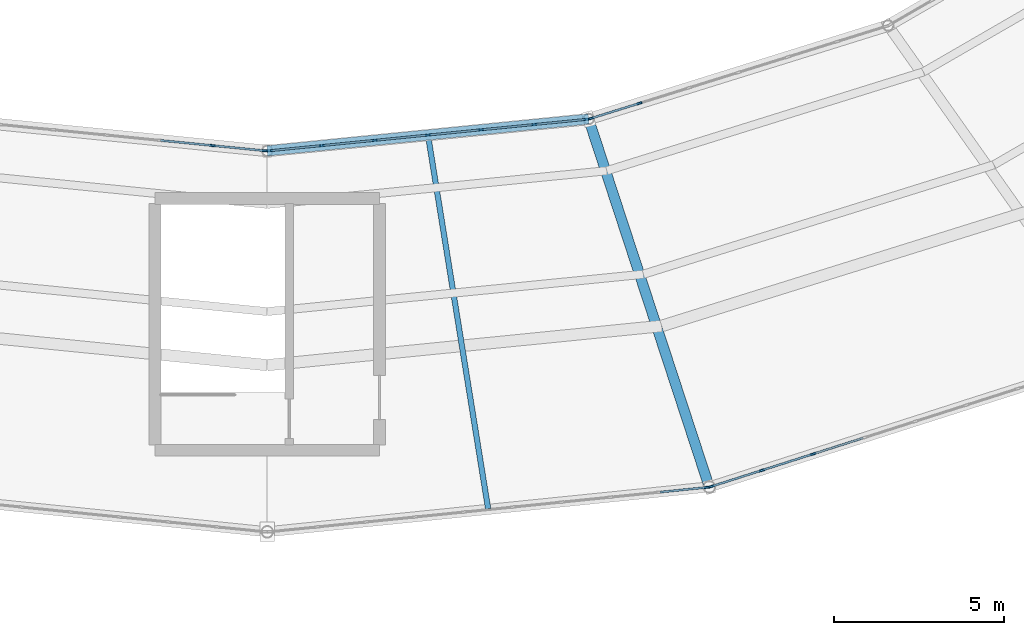
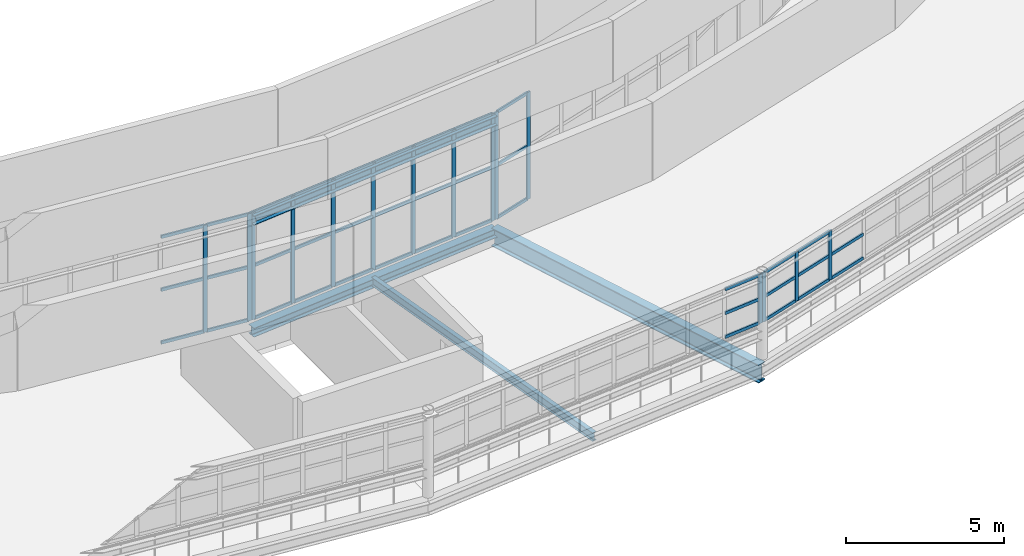
# One storey, part 36 of 123: 53 members, 4 beams, 5 elements without a shape of their own.
"""IFC4 building model written with IfcOpenShell, lengths in metres."""

from ifc_helpers import new_model, si_unit, direction, frame, origin, origin_2d, place, context, subcontext, project, spatial, rectangle, i_section, extrude, material, material_profile, profile_set, type_object, element, aggregate, save


model = new_model("IFC4")

# Units and contexts
model_context = context("Model", 3, precision=1e-05, world=origin(), true_north=direction((0.0, 1.0)))
body_context = subcontext(model_context, "Body", "Model", "MODEL_VIEW")
ifc_project = project(units=[si_unit("LENGTHUNIT", "METRE"), si_unit("AREAUNIT", "SQUARE_METRE"), si_unit("VOLUMEUNIT", "CUBIC_METRE"), si_unit("PLANEANGLEUNIT", "RADIAN"), si_unit("MASSUNIT", "GRAM", prefix="KILO")], contexts=[model_context])

# Site, building, storey
site_placement = place(None, origin())
site = spatial("IfcSite", under=ifc_project, at=site_placement, CompositionType="ELEMENT")
building_placement = place(site_placement, origin())
building = spatial("IfcBuilding", under=site, at=building_placement, Name="Kildeholm Park Wholesale Market", CompositionType="ELEMENT")
storey_placement = place(building_placement, frame((0.0, 0.0, 9.60009765625)))
storey = spatial("IfcBuildingStorey", under=building, at=storey_placement, Name="L02", CompositionType="ELEMENT", Elevation=9.60009765625)

# Beams
ifc_material_1 = material(Name="Steel S355", Category="steel")
ifc_material_profile_1 = material_profile(ifc_material_1, i_section(OverallWidth=0.300048828125, OverallDepth=0.699951171875, WebThickness=0.01708984375, FlangeThickness=0.031982421875, FilletRadius=0.027099609375, at=origin_2d()), Name="HEB 700")
ifc_profile_set_1 = profile_set([ifc_material_profile_1], Name="Steel S355")
beam_type_1 = type_object("IfcBeamType", Name="Beam B-G01 HEB 700", PredefinedType="BEAM", material=ifc_profile_set_1)
beam_1_placement = place(storey_placement, frame((108.447021484375, 62.93701171875, -0.60009765625), z_axis=(0.31146940438, -0.950256181319, 0.0), x_axis=(0.950256181319, 0.31146940438, 0.0)))
element("IfcBeam", 1, at=beam_1_placement, inside=storey, type_object=beam_type_1, Name="Beam BM-V1-L02-R1-19 BM-0173", PredefinedType="BEAM", context=body_context, shape_type="SweptSolid", body=[
    extrude(i_section(OverallWidth=0.300048828125, OverallDepth=0.699951171875, WebThickness=0.01708984375, FlangeThickness=0.031982421875, FilletRadius=0.027099609375, at=origin_2d()), origin(), (0.0, 0.0, 1.0), 11.384521484375),
])
ifc_material_profile_2 = material_profile(ifc_material_1, i_section(OverallWidth=0.300048828125, OverallDepth=0.35009765625, WebThickness=0.010009765625, FlangeThickness=0.017578125, FilletRadius=0.027099609375, at=origin_2d()), Name="HEA 360")
ifc_profile_set_2 = profile_set([ifc_material_profile_2], Name="Steel S355")
beam_type_2 = type_object("IfcBeamType", Name="Beam B-R01 HEA 360", PredefinedType="BEAM", material=ifc_profile_set_2)
beam_2_placement = place(storey_placement, frame((99.0, 62.0, -0.42919921875), z_axis=(0.995117073258, 0.098701623651, 0.0), x_axis=(-0.098701623651, 0.995117073258, 0.0)))
element("IfcBeam", 2, at=beam_2_placement, inside=storey, type_object=beam_type_2, Name="Beam BM-V1-L02-CI-18 BM-0168", PredefinedType="BEAM", context=body_context, shape_type="SweptSolid", body=[
    extrude(i_section(OverallWidth=0.300048828125, OverallDepth=0.35009765625, WebThickness=0.010009765625, FlangeThickness=0.017578125, FilletRadius=0.027099609375, at=origin_2d()), origin(), (0.0, 0.0, 1.0), 9.493408203125),
])
ifc_material_profile_3 = material_profile(ifc_material_1, i_section(OverallWidth=0.300048828125, OverallDepth=0.360107421875, WebThickness=0.012451171875, FlangeThickness=0.0224609375, FilletRadius=0.027099609375, at=origin_2d()), Name="HEB 360")
ifc_profile_set_3 = profile_set([ifc_material_profile_3], Name="Steel S355")
beam_type_3 = type_object("IfcBeamType", Name="Beam B-R03 HEB 360", PredefinedType="BEAM", material=ifc_profile_set_3)
beam_3_placement = place(storey_placement, frame((99.0, 62.0, 3.909423828125), z_axis=(0.995117073258, 0.098701623651, 0.0), x_axis=(-0.098701623651, 0.995117073258, 0.0)))
element("IfcBeam", 3, at=beam_3_placement, inside=storey, type_object=beam_type_3, Name="Beam BM-V1-RF-IN-18 BM-0331", PredefinedType="BEAM", context=body_context, shape_type="SweptSolid", body=[
    extrude(i_section(OverallWidth=0.300048828125, OverallDepth=0.360107421875, WebThickness=0.012451171875, FlangeThickness=0.0224609375, FilletRadius=0.027099609375, at=origin_2d()), origin(), (0.0, 0.0, 1.0), 9.493408203125),
])
ifc_material_profile_4 = material_profile(ifc_material_1, i_section(OverallWidth=0.159912109375, OverallDepth=0.330078125, WebThickness=0.007568359375, FlangeThickness=0.011474609375, FilletRadius=0.01806640625, at=origin_2d()), Name="IPE 330")
ifc_profile_set_4 = profile_set([ifc_material_profile_4], Name="Steel S355")
beam_type_4 = type_object("IfcBeamType", Name="Beam J-03 IPE 330", PredefinedType="JOIST", material=ifc_profile_set_4)
beam_4_placement = place(storey_placement, frame((103.726806640625, 62.44873046875, -0.4150390625), z_axis=(0.158998239013, -0.987278866375, 0.0), x_axis=(0.987278866375, 0.158998239013, 0.0)))
element("IfcBeam", 4, at=beam_4_placement, inside=storey, type_object=beam_type_4, Name="Beam JT-V1-L02-18 BM-0171", PredefinedType="JOIST", context=body_context, shape_type="SweptSolid", body=[
    extrude(i_section(OverallWidth=0.159912109375, OverallDepth=0.330078125, WebThickness=0.007568359375, FlangeThickness=0.011474609375, FilletRadius=0.01806640625, at=origin_2d()), origin(), (0.0, 0.0, 1.0), 11.11083984375),
])

# Curtain wall, members
ifc_material_2 = material(Name="Anodised aluminium and low-E double-glazed glass", Category="aluminium")
curtain_wall_type = type_object("IfcCurtainWallType", Name="Clerestory daylight stick curtain wall CW-02", PredefinedType="NOTDEFINED", material=ifc_material_2)
curtain_wall_1_placement = place(storey_placement, origin())
curtain_wall_1 = element("IfcCurtainWall", 5, at=curtain_wall_1_placement, inside=storey, type_object=curtain_wall_type, Name="Curtain wall CW-V1-IN2-17 CW-0088", PredefinedType="NOTDEFINED")
ifc_material_3 = material(Name="Anodised aluminium", Category="aluminium")
ifc_material_profile_5 = material_profile(ifc_material_3, rectangle(XDim=0.06005859375, YDim=0.14990234375, at=origin_2d()), Name="CWM 60x150")
ifc_profile_set_5 = profile_set([ifc_material_profile_5], Name="Anodised aluminium")
member_type_1 = type_object("IfcMemberType", Name="Curtain-wall mullion CWM-3 CWM 60x150", PredefinedType="MULLION", material=ifc_profile_set_5)
member_1_placement = place(storey_placement, frame((97.398681640625, 62.15478515625, 0.0), z_axis=(0.0, 0.0, 1.0), x_axis=(0.098683331174, 0.995118887444, 0.0)))
member_1 = element("IfcMember", 6, at=member_1_placement, type_object=member_type_1, Name="CW-02 mullion 6 MEM-2802", PredefinedType="MULLION", context=body_context, shape_type="SweptSolid", body=[
    extrude(rectangle(XDim=0.06005859375, YDim=0.14990234375, at=origin_2d()), origin(), (0.0, 0.0, 1.0), 4.14990234375),
])
member_2_placement = place(storey_placement, frame((98.93017578125, 62.0029296875, 0.0), z_axis=(0.0, 0.0, 1.0), x_axis=(0.098683331174, 0.995118887444, 0.0)))
member_2 = element("IfcMember", 7, at=member_2_placement, type_object=member_type_1, Name="CW-02 mullion 7 MEM-2803", PredefinedType="MULLION", context=body_context, shape_type="SweptSolid", body=[
    extrude(rectangle(XDim=0.06005859375, YDim=0.14990234375, at=origin_2d()), origin(), (0.0, 0.0, 1.0), 4.14990234375),
])

# Curtain wall, member
curtain_wall_2_placement = place(storey_placement, origin())
curtain_wall_2 = element("IfcCurtainWall", 8, at=curtain_wall_2_placement, inside=storey, type_object=curtain_wall_type, Name="Curtain wall CW-V1-CL-18 CW-0090", PredefinedType="NOTDEFINED")
member_3_placement = place(storey_placement, frame((111.924072265625, 52.10791015625, 1.349853515625), z_axis=(0.0, 0.0, 1.0), x_axis=(-0.100998628351, 0.994886564926, 0.0)))
member_3 = element("IfcMember", 9, at=member_3_placement, type_object=member_type_1, Name="CW-02 mullion 10 MEM-2872", PredefinedType="MULLION", context=body_context, shape_type="SweptSolid", body=[
    extrude(rectangle(XDim=0.06005859375, YDim=0.14990234375, at=origin_2d()), origin(), (0.0, 0.0, 1.0), 1.900146484375),
])

# Curtain wall, members
curtain_wall_3_placement = place(storey_placement, origin())
curtain_wall_3 = element("IfcCurtainWall", 10, at=curtain_wall_3_placement, inside=storey, type_object=curtain_wall_type, Name="Curtain wall CW-V1-IN2-18 CW-0093", PredefinedType="NOTDEFINED")
member_4_placement = place(storey_placement, frame((99.06982421875, 62.0029296875, 0.0), z_axis=(0.0, 0.0, 1.0), x_axis=(-0.098683331174, 0.995118887444, 0.0)))
member_4 = element("IfcMember", 11, at=member_4_placement, type_object=member_type_1, Name="CW-02 mullion 1 MEM-2950", PredefinedType="MULLION", context=body_context, shape_type="SweptSolid", body=[
    extrude(rectangle(XDim=0.06005859375, YDim=0.14990234375, at=origin_2d()), origin(), (0.0, 0.0, 1.0), 4.14990234375),
])
member_5_placement = place(storey_placement, frame((100.601318359375, 62.15478515625, 0.0), z_axis=(0.0, 0.0, 1.0), x_axis=(-0.098683331174, 0.995118887444, 0.0)))
member_5 = element("IfcMember", 12, at=member_5_placement, type_object=member_type_1, Name="CW-02 mullion 2 MEM-2951", PredefinedType="MULLION", context=body_context, shape_type="SweptSolid", body=[
    extrude(rectangle(XDim=0.06005859375, YDim=0.14990234375, at=origin_2d()), origin(), (0.0, 0.0, 1.0), 4.14990234375),
])
member_6_placement = place(storey_placement, frame((102.16259765625, 62.3095703125, 0.0), z_axis=(0.0, 0.0, 1.0), x_axis=(-0.098683331174, 0.995118887444, 0.0)))
member_6 = element("IfcMember", 13, at=member_6_placement, type_object=member_type_1, Name="CW-02 mullion 3 MEM-2952", PredefinedType="MULLION", context=body_context, shape_type="SweptSolid", body=[
    extrude(rectangle(XDim=0.06005859375, YDim=0.14990234375, at=origin_2d()), origin(), (0.0, 0.0, 1.0), 4.14990234375),
])
member_7_placement = place(storey_placement, frame((103.72412109375, 62.464599609375, 0.0), z_axis=(0.0, 0.0, 1.0), x_axis=(-0.098683331174, 0.995118887444, 0.0)))
member_7 = element("IfcMember", 14, at=member_7_placement, type_object=member_type_1, Name="CW-02 mullion 4 MEM-2953", PredefinedType="MULLION", context=body_context, shape_type="SweptSolid", body=[
    extrude(rectangle(XDim=0.06005859375, YDim=0.14990234375, at=origin_2d()), origin(), (0.0, 0.0, 1.0), 4.14990234375),
])
member_8_placement = place(storey_placement, frame((105.285400390625, 62.619384765625, 0.0), z_axis=(0.0, 0.0, 1.0), x_axis=(-0.098683331174, 0.995118887444, 0.0)))
member_8 = element("IfcMember", 15, at=member_8_placement, type_object=member_type_1, Name="CW-02 mullion 5 MEM-2954", PredefinedType="MULLION", context=body_context, shape_type="SweptSolid", body=[
    extrude(rectangle(XDim=0.06005859375, YDim=0.14990234375, at=origin_2d()), origin(), (0.0, 0.0, 1.0), 4.14990234375),
])
member_9_placement = place(storey_placement, frame((106.8466796875, 62.774169921875, 0.0), z_axis=(0.0, 0.0, 1.0), x_axis=(-0.098683331174, 0.995118887444, 0.0)))
member_9 = element("IfcMember", 16, at=member_9_placement, type_object=member_type_1, Name="CW-02 mullion 6 MEM-2955", PredefinedType="MULLION", context=body_context, shape_type="SweptSolid", body=[
    extrude(rectangle(XDim=0.06005859375, YDim=0.14990234375, at=origin_2d()), origin(), (0.0, 0.0, 1.0), 4.14990234375),
])
member_10_placement = place(storey_placement, frame((108.378173828125, 62.926025390625, 0.0), z_axis=(0.0, 0.0, 1.0), x_axis=(-0.098683331174, 0.995118887444, 0.0)))
member_10 = element("IfcMember", 17, at=member_10_placement, type_object=member_type_1, Name="CW-02 mullion 7 MEM-2956", PredefinedType="MULLION", context=body_context, shape_type="SweptSolid", body=[
    extrude(rectangle(XDim=0.06005859375, YDim=0.14990234375, at=origin_2d()), origin(), (0.0, 0.0, 1.0), 4.14990234375),
])

curtain_wall_4_placement = place(storey_placement, origin())
curtain_wall_4 = element("IfcCurtainWall", 18, at=curtain_wall_4_placement, inside=storey, type_object=curtain_wall_type, Name="Curtain wall CW-V1-CL-19 CW-0095", PredefinedType="NOTDEFINED")
member_11_placement = place(storey_placement, frame((112.0615234375, 52.13623046875, 1.349853515625), z_axis=(0.0, 0.0, 1.0), x_axis=(-0.304206822997, 0.952606009241, 0.0)))
member_11 = element("IfcMember", 19, at=member_11_placement, type_object=member_type_1, Name="CW-02 mullion 1 MEM-3016", PredefinedType="MULLION", context=body_context, shape_type="SweptSolid", body=[
    extrude(rectangle(XDim=0.06005859375, YDim=0.14990234375, at=origin_2d()), origin(), (0.0, 0.0, 1.0), 1.900146484375),
])
member_12_placement = place(storey_placement, frame((113.536865234375, 52.607177734375, 1.349853515625), z_axis=(0.0, 0.0, 1.0), x_axis=(-0.304206822997, 0.952606009241, 0.0)))
member_12 = element("IfcMember", 20, at=member_12_placement, type_object=member_type_1, Name="CW-02 mullion 2 MEM-3017", PredefinedType="MULLION", context=body_context, shape_type="SweptSolid", body=[
    extrude(rectangle(XDim=0.06005859375, YDim=0.14990234375, at=origin_2d()), origin(), (0.0, 0.0, 1.0), 1.900146484375),
])
member_13_placement = place(storey_placement, frame((115.040771484375, 53.08740234375, 1.349853515625), z_axis=(0.0, 0.0, 1.0), x_axis=(-0.304206822997, 0.952606009241, 0.0)))
member_13 = element("IfcMember", 21, at=member_13_placement, type_object=member_type_1, Name="CW-02 mullion 3 MEM-3018", PredefinedType="MULLION", context=body_context, shape_type="SweptSolid", body=[
    extrude(rectangle(XDim=0.06005859375, YDim=0.14990234375, at=origin_2d()), origin(), (0.0, 0.0, 1.0), 1.900146484375),
])

curtain_wall_5_placement = place(storey_placement, origin())
curtain_wall_5 = element("IfcCurtainWall", 22, at=curtain_wall_5_placement, inside=storey, type_object=curtain_wall_type, Name="Curtain wall CW-V1-IN2-19 CW-0098", PredefinedType="NOTDEFINED")
member_14_placement = place(storey_placement, frame((108.515625, 62.953857421875, 0.0), z_axis=(0.0, 0.0, 1.0), x_axis=(-0.297957339818, 0.954579186683, 0.0)))
member_14 = element("IfcMember", 23, at=member_14_placement, type_object=member_type_1, Name="CW-02 mullion 1 MEM-3099", PredefinedType="MULLION", context=body_context, shape_type="SweptSolid", body=[
    extrude(rectangle(XDim=0.06005859375, YDim=0.14990234375, at=origin_2d()), origin(), (0.0, 0.0, 1.0), 4.14990234375),
])
member_15_placement = place(storey_placement, frame((109.94140625, 63.39892578125, 0.0), z_axis=(0.0, 0.0, 1.0), x_axis=(-0.297957339818, 0.954579186683, 0.0)))
member_15 = element("IfcMember", 24, at=member_15_placement, type_object=member_type_1, Name="CW-02 mullion 2 MEM-3100", PredefinedType="MULLION", context=body_context, shape_type="SweptSolid", body=[
    extrude(rectangle(XDim=0.06005859375, YDim=0.14990234375, at=origin_2d()), origin(), (0.0, 0.0, 1.0), 4.14990234375),
])

# Member
ifc_material_profile_6 = material_profile(ifc_material_3, rectangle(XDim=0.06005859375, YDim=0.1201171875, at=origin_2d()), Name="CWT 60x120")
ifc_profile_set_6 = profile_set([ifc_material_profile_6], Name="Anodised aluminium")
member_type_2 = type_object("IfcMemberType", Name="Curtain-wall transom CWT-3 CWT 60x120", PredefinedType="USERDEFINED", material=ifc_profile_set_6)
member_16_placement = place(storey_placement, frame((95.8671875, 62.306640625, 0.02978515625), z_axis=(0.995118546562, -0.098686768558, 0.0), x_axis=(0.098686768558, 0.995118546562, 0.0)))
member_16 = element("IfcMember", 25, at=member_16_placement, type_object=member_type_2, Name="CW-02 transom 5.1 MEM-2816", ObjectType="TRANSOM", PredefinedType="USERDEFINED", context=body_context, shape_type="SweptSolid", body=[
    extrude(rectangle(XDim=0.06005859375, YDim=0.1201171875, at=origin_2d()), origin(), (0.0, 0.0, 1.0), 1.509033203125),
])

member_17_placement = place(storey_placement, frame((95.8671875, 62.306640625, 2.074951171875), z_axis=(0.995118546562, -0.098686768558, 0.0), x_axis=(0.098686768558, 0.995118546562, 0.0)))
member_17 = element("IfcMember", 26, at=member_17_placement, type_object=member_type_2, Name="CW-02 transom 5.2 MEM-2817", ObjectType="TRANSOM", PredefinedType="USERDEFINED", context=body_context, shape_type="SweptSolid", body=[
    extrude(rectangle(XDim=0.06005859375, YDim=0.1201171875, at=origin_2d()), origin(), (0.0, 0.0, 1.0), 1.509033203125),
])

member_18_placement = place(storey_placement, frame((95.8671875, 62.306640625, 4.119873046875), z_axis=(0.995118546562, -0.098686768558, 0.0), x_axis=(0.098686768558, 0.995118546562, 0.0)))
member_18 = element("IfcMember", 27, at=member_18_placement, type_object=member_type_2, Name="CW-02 transom 5.3 MEM-2818", ObjectType="TRANSOM", PredefinedType="USERDEFINED", context=body_context, shape_type="SweptSolid", body=[
    extrude(rectangle(XDim=0.06005859375, YDim=0.1201171875, at=origin_2d()), origin(), (0.0, 0.0, 1.0), 1.509033203125),
])

member_19_placement = place(storey_placement, frame((97.428466796875, 62.15185546875, 0.02978515625), z_axis=(0.995116944217, -0.098702924638, 0.0), x_axis=(0.098702924638, 0.995116944217, 0.0)))
member_19 = element("IfcMember", 28, at=member_19_placement, type_object=member_type_2, Name="CW-02 transom 6.1 MEM-2819", ObjectType="TRANSOM", PredefinedType="USERDEFINED", context=body_context, shape_type="SweptSolid", body=[
    extrude(rectangle(XDim=0.06005859375, YDim=0.1201171875, at=origin_2d()), origin(), (0.0, 0.0, 1.0), 1.479248046875),
])

member_20_placement = place(storey_placement, frame((97.428466796875, 62.15185546875, 2.074951171875), z_axis=(0.995116944217, -0.098702924638, 0.0), x_axis=(0.098702924638, 0.995116944217, 0.0)))
member_20 = element("IfcMember", 29, at=member_20_placement, type_object=member_type_2, Name="CW-02 transom 6.2 MEM-2820", ObjectType="TRANSOM", PredefinedType="USERDEFINED", context=body_context, shape_type="SweptSolid", body=[
    extrude(rectangle(XDim=0.06005859375, YDim=0.1201171875, at=origin_2d()), origin(), (0.0, 0.0, 1.0), 1.479248046875),
])

member_21_placement = place(storey_placement, frame((97.428466796875, 62.15185546875, 4.119873046875), z_axis=(0.995116944217, -0.098702924638, 0.0), x_axis=(0.098702924638, 0.995116944217, 0.0)))
member_21 = element("IfcMember", 30, at=member_21_placement, type_object=member_type_2, Name="CW-02 transom 6.3 MEM-2821", ObjectType="TRANSOM", PredefinedType="USERDEFINED", context=body_context, shape_type="SweptSolid", body=[
    extrude(rectangle(XDim=0.06005859375, YDim=0.1201171875, at=origin_2d()), origin(), (0.0, 0.0, 1.0), 1.479248046875),
])

aggregate(curtain_wall_1, [member_1, member_2, member_16, member_17, member_18, member_19, member_20, member_21])

member_22_placement = place(storey_placement, frame((110.549072265625, 51.96826171875, 1.3798828125), z_axis=(0.994874996086, 0.101112522288, 0.0), x_axis=(-0.101112522288, 0.994874996086, 0.0)))
member_22 = element("IfcMember", 31, at=member_22_placement, type_object=member_type_2, Name="CW-02 transom 9.1 MEM-2897", ObjectType="TRANSOM", PredefinedType="USERDEFINED", context=body_context, shape_type="SweptSolid", body=[
    extrude(rectangle(XDim=0.06005859375, YDim=0.1201171875, at=origin_2d()), origin(), (0.0, 0.0, 1.0), 1.35205078125),
])

member_23_placement = place(storey_placement, frame((110.549072265625, 51.96826171875, 2.2998046875), z_axis=(0.994874996086, 0.101112522288, 0.0), x_axis=(-0.101112522288, 0.994874996086, 0.0)))
member_23 = element("IfcMember", 32, at=member_23_placement, type_object=member_type_2, Name="CW-02 transom 9.2 MEM-2898", ObjectType="TRANSOM", PredefinedType="USERDEFINED", context=body_context, shape_type="SweptSolid", body=[
    extrude(rectangle(XDim=0.06005859375, YDim=0.1201171875, at=origin_2d()), origin(), (0.0, 0.0, 1.0), 1.35205078125),
])

member_24_placement = place(storey_placement, frame((110.549072265625, 51.96826171875, 3.219970703125), z_axis=(0.994874996086, 0.101112522288, 0.0), x_axis=(-0.101112522288, 0.994874996086, 0.0)))
member_24 = element("IfcMember", 33, at=member_24_placement, type_object=member_type_2, Name="CW-02 transom 9.3 MEM-2899", ObjectType="TRANSOM", PredefinedType="USERDEFINED", context=body_context, shape_type="SweptSolid", body=[
    extrude(rectangle(XDim=0.06005859375, YDim=0.1201171875, at=origin_2d()), origin(), (0.0, 0.0, 1.0), 1.35205078125),
])

aggregate(curtain_wall_2, [member_3, member_22, member_23, member_24])

member_25_placement = place(storey_placement, frame((99.099609375, 62.005859375, 0.02978515625), z_axis=(0.995116944217, 0.098702924638, 0.0), x_axis=(-0.098702924638, 0.995116944217, 0.0)))
member_25 = element("IfcMember", 34, at=member_25_placement, type_object=member_type_2, Name="CW-02 transom 1.1 MEM-2957", ObjectType="TRANSOM", PredefinedType="USERDEFINED", context=body_context, shape_type="SweptSolid", body=[
    extrude(rectangle(XDim=0.06005859375, YDim=0.1201171875, at=origin_2d()), origin(), (0.0, 0.0, 1.0), 1.479248046875),
])

member_26_placement = place(storey_placement, frame((99.099609375, 62.005859375, 2.074951171875), z_axis=(0.995116944217, 0.098702924638, 0.0), x_axis=(-0.098702924638, 0.995116944217, 0.0)))
member_26 = element("IfcMember", 35, at=member_26_placement, type_object=member_type_2, Name="CW-02 transom 1.2 MEM-2958", ObjectType="TRANSOM", PredefinedType="USERDEFINED", context=body_context, shape_type="SweptSolid", body=[
    extrude(rectangle(XDim=0.06005859375, YDim=0.1201171875, at=origin_2d()), origin(), (0.0, 0.0, 1.0), 1.479248046875),
])

member_27_placement = place(storey_placement, frame((99.099609375, 62.005859375, 4.119873046875), z_axis=(0.995116944217, 0.098702924638, 0.0), x_axis=(-0.098702924638, 0.995116944217, 0.0)))
member_27 = element("IfcMember", 36, at=member_27_placement, type_object=member_type_2, Name="CW-02 transom 1.3 MEM-2959", ObjectType="TRANSOM", PredefinedType="USERDEFINED", context=body_context, shape_type="SweptSolid", body=[
    extrude(rectangle(XDim=0.06005859375, YDim=0.1201171875, at=origin_2d()), origin(), (0.0, 0.0, 1.0), 1.479248046875),
])

member_28_placement = place(storey_placement, frame((100.631103515625, 62.15771484375, 0.02978515625), z_axis=(0.995118546562, 0.098686768558, 0.0), x_axis=(-0.098686768558, 0.995118546562, 0.0)))
member_28 = element("IfcMember", 37, at=member_28_placement, type_object=member_type_2, Name="CW-02 transom 2.1 MEM-2960", ObjectType="TRANSOM", PredefinedType="USERDEFINED", context=body_context, shape_type="SweptSolid", body=[
    extrude(rectangle(XDim=0.06005859375, YDim=0.1201171875, at=origin_2d()), origin(), (0.0, 0.0, 1.0), 1.509033203125),
])

member_29_placement = place(storey_placement, frame((100.631103515625, 62.15771484375, 2.074951171875), z_axis=(0.995118546562, 0.098686768558, 0.0), x_axis=(-0.098686768558, 0.995118546562, 0.0)))
member_29 = element("IfcMember", 38, at=member_29_placement, type_object=member_type_2, Name="CW-02 transom 2.2 MEM-2961", ObjectType="TRANSOM", PredefinedType="USERDEFINED", context=body_context, shape_type="SweptSolid", body=[
    extrude(rectangle(XDim=0.06005859375, YDim=0.1201171875, at=origin_2d()), origin(), (0.0, 0.0, 1.0), 1.509033203125),
])

member_30_placement = place(storey_placement, frame((100.631103515625, 62.15771484375, 4.119873046875), z_axis=(0.995118546562, 0.098686768558, 0.0), x_axis=(-0.098686768558, 0.995118546562, 0.0)))
member_30 = element("IfcMember", 39, at=member_30_placement, type_object=member_type_2, Name="CW-02 transom 2.3 MEM-2962", ObjectType="TRANSOM", PredefinedType="USERDEFINED", context=body_context, shape_type="SweptSolid", body=[
    extrude(rectangle(XDim=0.06005859375, YDim=0.1201171875, at=origin_2d()), origin(), (0.0, 0.0, 1.0), 1.509033203125),
])

member_31_placement = place(storey_placement, frame((102.192626953125, 62.312744140625, 0.02978515625), z_axis=(0.995132850789, 0.098542423761, 0.0), x_axis=(-0.098542423761, 0.995132850789, 0.0)))
member_31 = element("IfcMember", 40, at=member_31_placement, type_object=member_type_2, Name="CW-02 transom 3.1 MEM-2963", ObjectType="TRANSOM", PredefinedType="USERDEFINED", context=body_context, shape_type="SweptSolid", body=[
    extrude(rectangle(XDim=0.06005859375, YDim=0.1201171875, at=origin_2d()), origin(), (0.0, 0.0, 1.0), 1.5087890625),
])

member_32_placement = place(storey_placement, frame((102.192626953125, 62.312744140625, 2.074951171875), z_axis=(0.995132850789, 0.098542423761, 0.0), x_axis=(-0.098542423761, 0.995132850789, 0.0)))
member_32 = element("IfcMember", 41, at=member_32_placement, type_object=member_type_2, Name="CW-02 transom 3.2 MEM-2964", ObjectType="TRANSOM", PredefinedType="USERDEFINED", context=body_context, shape_type="SweptSolid", body=[
    extrude(rectangle(XDim=0.06005859375, YDim=0.1201171875, at=origin_2d()), origin(), (0.0, 0.0, 1.0), 1.5087890625),
])

member_33_placement = place(storey_placement, frame((102.192626953125, 62.312744140625, 4.119873046875), z_axis=(0.995132850789, 0.098542423761, 0.0), x_axis=(-0.098542423761, 0.995132850789, 0.0)))
member_33 = element("IfcMember", 42, at=member_33_placement, type_object=member_type_2, Name="CW-02 transom 3.3 MEM-2965", ObjectType="TRANSOM", PredefinedType="USERDEFINED", context=body_context, shape_type="SweptSolid", body=[
    extrude(rectangle(XDim=0.06005859375, YDim=0.1201171875, at=origin_2d()), origin(), (0.0, 0.0, 1.0), 1.5087890625),
])

member_34_placement = place(storey_placement, frame((103.75390625, 62.467529296875, 0.02978515625), z_axis=(0.995116970578, 0.09870265887, 0.0), x_axis=(-0.09870265887, 0.995116970578, 0.0)))
member_34 = element("IfcMember", 43, at=member_34_placement, type_object=member_type_2, Name="CW-02 transom 4.1 MEM-2966", ObjectType="TRANSOM", PredefinedType="USERDEFINED", context=body_context, shape_type="SweptSolid", body=[
    extrude(rectangle(XDim=0.06005859375, YDim=0.1201171875, at=origin_2d()), origin(), (0.0, 0.0, 1.0), 1.5087890625),
])

member_35_placement = place(storey_placement, frame((103.75390625, 62.467529296875, 2.074951171875), z_axis=(0.995116970578, 0.09870265887, 0.0), x_axis=(-0.09870265887, 0.995116970578, 0.0)))
member_35 = element("IfcMember", 44, at=member_35_placement, type_object=member_type_2, Name="CW-02 transom 4.2 MEM-2967", ObjectType="TRANSOM", PredefinedType="USERDEFINED", context=body_context, shape_type="SweptSolid", body=[
    extrude(rectangle(XDim=0.06005859375, YDim=0.1201171875, at=origin_2d()), origin(), (0.0, 0.0, 1.0), 1.5087890625),
])

member_36_placement = place(storey_placement, frame((103.75390625, 62.467529296875, 4.119873046875), z_axis=(0.995116970578, 0.09870265887, 0.0), x_axis=(-0.09870265887, 0.995116970578, 0.0)))
member_36 = element("IfcMember", 45, at=member_36_placement, type_object=member_type_2, Name="CW-02 transom 4.3 MEM-2968", ObjectType="TRANSOM", PredefinedType="USERDEFINED", context=body_context, shape_type="SweptSolid", body=[
    extrude(rectangle(XDim=0.06005859375, YDim=0.1201171875, at=origin_2d()), origin(), (0.0, 0.0, 1.0), 1.5087890625),
])

member_37_placement = place(storey_placement, frame((105.315185546875, 62.622314453125, 0.02978515625), z_axis=(0.995118546562, 0.098686768558, 0.0), x_axis=(-0.098686768558, 0.995118546562, 0.0)))
member_37 = element("IfcMember", 46, at=member_37_placement, type_object=member_type_2, Name="CW-02 transom 5.1 MEM-2969", ObjectType="TRANSOM", PredefinedType="USERDEFINED", context=body_context, shape_type="SweptSolid", body=[
    extrude(rectangle(XDim=0.06005859375, YDim=0.1201171875, at=origin_2d()), origin(), (0.0, 0.0, 1.0), 1.509033203125),
])

member_38_placement = place(storey_placement, frame((105.315185546875, 62.622314453125, 2.074951171875), z_axis=(0.995118546562, 0.098686768558, 0.0), x_axis=(-0.098686768558, 0.995118546562, 0.0)))
member_38 = element("IfcMember", 47, at=member_38_placement, type_object=member_type_2, Name="CW-02 transom 5.2 MEM-2970", ObjectType="TRANSOM", PredefinedType="USERDEFINED", context=body_context, shape_type="SweptSolid", body=[
    extrude(rectangle(XDim=0.06005859375, YDim=0.1201171875, at=origin_2d()), origin(), (0.0, 0.0, 1.0), 1.509033203125),
])

member_39_placement = place(storey_placement, frame((105.315185546875, 62.622314453125, 4.119873046875), z_axis=(0.995118546562, 0.098686768558, 0.0), x_axis=(-0.098686768558, 0.995118546562, 0.0)))
member_39 = element("IfcMember", 48, at=member_39_placement, type_object=member_type_2, Name="CW-02 transom 5.3 MEM-2971", ObjectType="TRANSOM", PredefinedType="USERDEFINED", context=body_context, shape_type="SweptSolid", body=[
    extrude(rectangle(XDim=0.06005859375, YDim=0.1201171875, at=origin_2d()), origin(), (0.0, 0.0, 1.0), 1.509033203125),
])

member_40_placement = place(storey_placement, frame((106.87646484375, 62.777099609375, 0.02978515625), z_axis=(0.995116944217, 0.098702924638, 0.0), x_axis=(-0.098702924638, 0.995116944217, 0.0)))
member_40 = element("IfcMember", 49, at=member_40_placement, type_object=member_type_2, Name="CW-02 transom 6.1 MEM-2972", ObjectType="TRANSOM", PredefinedType="USERDEFINED", context=body_context, shape_type="SweptSolid", body=[
    extrude(rectangle(XDim=0.06005859375, YDim=0.1201171875, at=origin_2d()), origin(), (0.0, 0.0, 1.0), 1.479248046875),
])

member_41_placement = place(storey_placement, frame((106.87646484375, 62.777099609375, 2.074951171875), z_axis=(0.995116944217, 0.098702924638, 0.0), x_axis=(-0.098702924638, 0.995116944217, 0.0)))
member_41 = element("IfcMember", 50, at=member_41_placement, type_object=member_type_2, Name="CW-02 transom 6.2 MEM-2973", ObjectType="TRANSOM", PredefinedType="USERDEFINED", context=body_context, shape_type="SweptSolid", body=[
    extrude(rectangle(XDim=0.06005859375, YDim=0.1201171875, at=origin_2d()), origin(), (0.0, 0.0, 1.0), 1.479248046875),
])

member_42_placement = place(storey_placement, frame((106.87646484375, 62.777099609375, 4.119873046875), z_axis=(0.995116944217, 0.098702924638, 0.0), x_axis=(-0.098702924638, 0.995116944217, 0.0)))
member_42 = element("IfcMember", 51, at=member_42_placement, type_object=member_type_2, Name="CW-02 transom 6.3 MEM-2974", ObjectType="TRANSOM", PredefinedType="USERDEFINED", context=body_context, shape_type="SweptSolid", body=[
    extrude(rectangle(XDim=0.06005859375, YDim=0.1201171875, at=origin_2d()), origin(), (0.0, 0.0, 1.0), 1.479248046875),
])

aggregate(curtain_wall_3, [member_4, member_5, member_6, member_7, member_8, member_9, member_10, member_25, member_26, member_27, member_28, member_29, member_30, member_31, member_32, member_33, member_34, member_35, member_36, member_37, member_38, member_39, member_40, member_41, member_42])

member_43_placement = place(storey_placement, frame((112.090087890625, 52.145263671875, 1.3798828125), z_axis=(0.952608667533, 0.304198498584, 0.0), x_axis=(-0.304198498584, 0.952608667533, 0.0)))
member_43 = element("IfcMember", 52, at=member_43_placement, type_object=member_type_2, Name="CW-02 transom 1.1 MEM-3025", ObjectType="TRANSOM", PredefinedType="USERDEFINED", context=body_context, shape_type="SweptSolid", body=[
    extrude(rectangle(XDim=0.06005859375, YDim=0.1201171875, at=origin_2d()), origin(), (0.0, 0.0, 1.0), 1.48876953125),
])

member_44_placement = place(storey_placement, frame((112.090087890625, 52.145263671875, 2.2998046875), z_axis=(0.952608667533, 0.304198498584, 0.0), x_axis=(-0.304198498584, 0.952608667533, 0.0)))
member_44 = element("IfcMember", 53, at=member_44_placement, type_object=member_type_2, Name="CW-02 transom 1.2 MEM-3026", ObjectType="TRANSOM", PredefinedType="USERDEFINED", context=body_context, shape_type="SweptSolid", body=[
    extrude(rectangle(XDim=0.06005859375, YDim=0.1201171875, at=origin_2d()), origin(), (0.0, 0.0, 1.0), 1.48876953125),
])

member_45_placement = place(storey_placement, frame((112.090087890625, 52.145263671875, 3.219970703125), z_axis=(0.952608667533, 0.304198498584, 0.0), x_axis=(-0.304198498584, 0.952608667533, 0.0)))
member_45 = element("IfcMember", 54, at=member_45_placement, type_object=member_type_2, Name="CW-02 transom 1.3 MEM-3027", ObjectType="TRANSOM", PredefinedType="USERDEFINED", context=body_context, shape_type="SweptSolid", body=[
    extrude(rectangle(XDim=0.06005859375, YDim=0.1201171875, at=origin_2d()), origin(), (0.0, 0.0, 1.0), 1.48876953125),
])

member_46_placement = place(storey_placement, frame((113.5654296875, 52.616455078125, 1.3798828125), z_axis=(0.952625522419, 0.304145711849, 0.0), x_axis=(-0.304145711849, 0.952625522419, 0.0)))
member_46 = element("IfcMember", 55, at=member_46_placement, type_object=member_type_2, Name="CW-02 transom 2.1 MEM-3028", ObjectType="TRANSOM", PredefinedType="USERDEFINED", context=body_context, shape_type="SweptSolid", body=[
    extrude(rectangle(XDim=0.06005859375, YDim=0.1201171875, at=origin_2d()), origin(), (0.0, 0.0, 1.0), 1.518798828125),
])

member_47_placement = place(storey_placement, frame((113.5654296875, 52.616455078125, 2.2998046875), z_axis=(0.952625522419, 0.304145711849, 0.0), x_axis=(-0.304145711849, 0.952625522419, 0.0)))
member_47 = element("IfcMember", 56, at=member_47_placement, type_object=member_type_2, Name="CW-02 transom 2.2 MEM-3029", ObjectType="TRANSOM", PredefinedType="USERDEFINED", context=body_context, shape_type="SweptSolid", body=[
    extrude(rectangle(XDim=0.06005859375, YDim=0.1201171875, at=origin_2d()), origin(), (0.0, 0.0, 1.0), 1.518798828125),
])

member_48_placement = place(storey_placement, frame((113.5654296875, 52.616455078125, 3.219970703125), z_axis=(0.952625522419, 0.304145711849, 0.0), x_axis=(-0.304145711849, 0.952625522419, 0.0)))
member_48 = element("IfcMember", 57, at=member_48_placement, type_object=member_type_2, Name="CW-02 transom 2.3 MEM-3030", ObjectType="TRANSOM", PredefinedType="USERDEFINED", context=body_context, shape_type="SweptSolid", body=[
    extrude(rectangle(XDim=0.06005859375, YDim=0.1201171875, at=origin_2d()), origin(), (0.0, 0.0, 1.0), 1.518798828125),
])

member_49_placement = place(storey_placement, frame((115.0693359375, 53.0966796875, 1.3798828125), z_axis=(0.952625522419, 0.304145711849, 0.0), x_axis=(-0.304145711849, 0.952625522419, 0.0)))
member_49 = element("IfcMember", 58, at=member_49_placement, type_object=member_type_2, Name="CW-02 transom 3.1 MEM-3031", ObjectType="TRANSOM", PredefinedType="USERDEFINED", context=body_context, shape_type="SweptSolid", body=[
    extrude(rectangle(XDim=0.06005859375, YDim=0.1201171875, at=origin_2d()), origin(), (0.0, 0.0, 1.0), 1.518798828125),
])

member_50_placement = place(storey_placement, frame((115.0693359375, 53.0966796875, 2.2998046875), z_axis=(0.952625522419, 0.304145711849, 0.0), x_axis=(-0.304145711849, 0.952625522419, 0.0)))
member_50 = element("IfcMember", 59, at=member_50_placement, type_object=member_type_2, Name="CW-02 transom 3.2 MEM-3032", ObjectType="TRANSOM", PredefinedType="USERDEFINED", context=body_context, shape_type="SweptSolid", body=[
    extrude(rectangle(XDim=0.06005859375, YDim=0.1201171875, at=origin_2d()), origin(), (0.0, 0.0, 1.0), 1.518798828125),
])

aggregate(curtain_wall_4, [member_11, member_12, member_13, member_43, member_44, member_45, member_46, member_47, member_48, member_49, member_50])

member_51_placement = place(storey_placement, frame((108.544189453125, 62.962890625, 0.02978515625), z_axis=(0.954570828719, 0.29798411528, 0.0), x_axis=(-0.29798411528, 0.954570828719, 0.0)))
member_51 = element("IfcMember", 60, at=member_51_placement, type_object=member_type_2, Name="CW-02 transom 1.1 MEM-3106", ObjectType="TRANSOM", PredefinedType="USERDEFINED", context=body_context, shape_type="SweptSolid", body=[
    extrude(rectangle(XDim=0.06005859375, YDim=0.1201171875, at=origin_2d()), origin(), (0.0, 0.0, 1.0), 1.433837890625),
])

member_52_placement = place(storey_placement, frame((108.544189453125, 62.962890625, 2.074951171875), z_axis=(0.954570828719, 0.29798411528, 0.0), x_axis=(-0.29798411528, 0.954570828719, 0.0)))
member_52 = element("IfcMember", 61, at=member_52_placement, type_object=member_type_2, Name="CW-02 transom 1.2 MEM-3107", ObjectType="TRANSOM", PredefinedType="USERDEFINED", context=body_context, shape_type="SweptSolid", body=[
    extrude(rectangle(XDim=0.06005859375, YDim=0.1201171875, at=origin_2d()), origin(), (0.0, 0.0, 1.0), 1.433837890625),
])

member_53_placement = place(storey_placement, frame((108.544189453125, 62.962890625, 4.119873046875), z_axis=(0.954570828719, 0.29798411528, 0.0), x_axis=(-0.29798411528, 0.954570828719, 0.0)))
member_53 = element("IfcMember", 62, at=member_53_placement, type_object=member_type_2, Name="CW-02 transom 1.3 MEM-3108", ObjectType="TRANSOM", PredefinedType="USERDEFINED", context=body_context, shape_type="SweptSolid", body=[
    extrude(rectangle(XDim=0.06005859375, YDim=0.1201171875, at=origin_2d()), origin(), (0.0, 0.0, 1.0), 1.433837890625),
])

aggregate(curtain_wall_5, [member_14, member_15, member_51, member_52, member_53])

save(model, "model.ifc")
